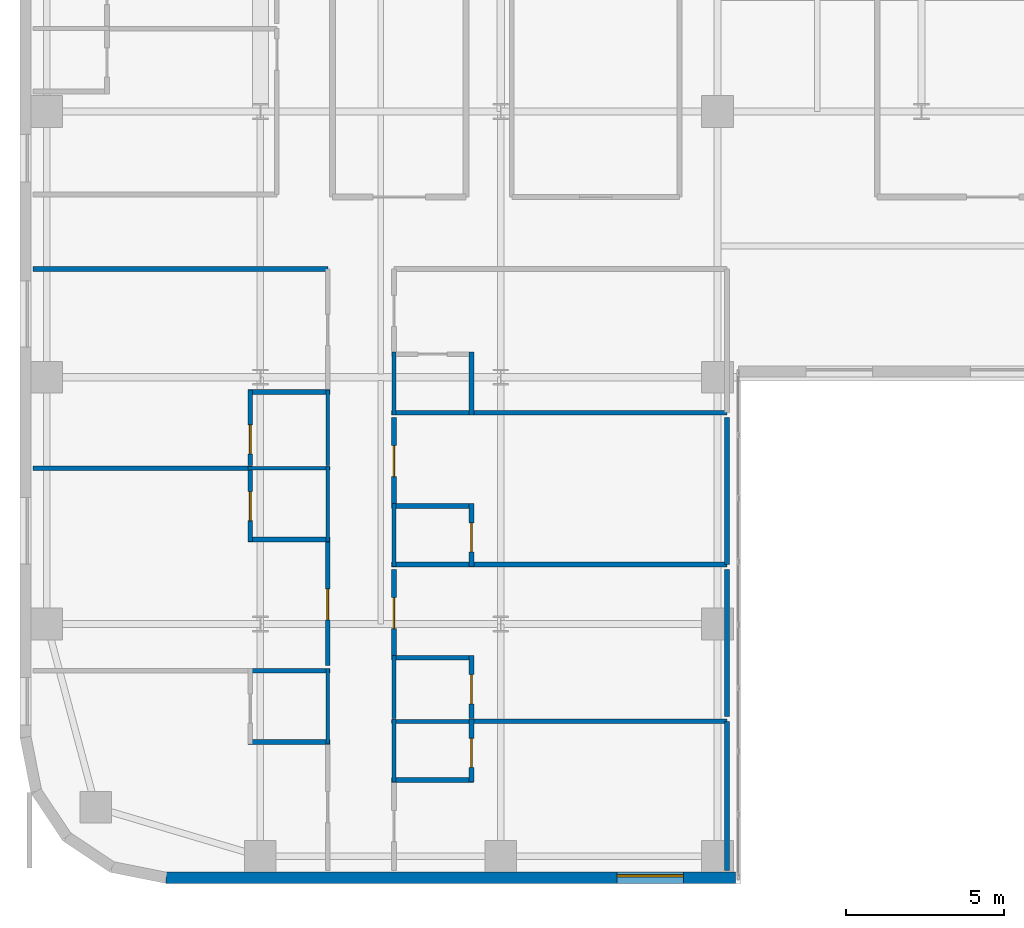
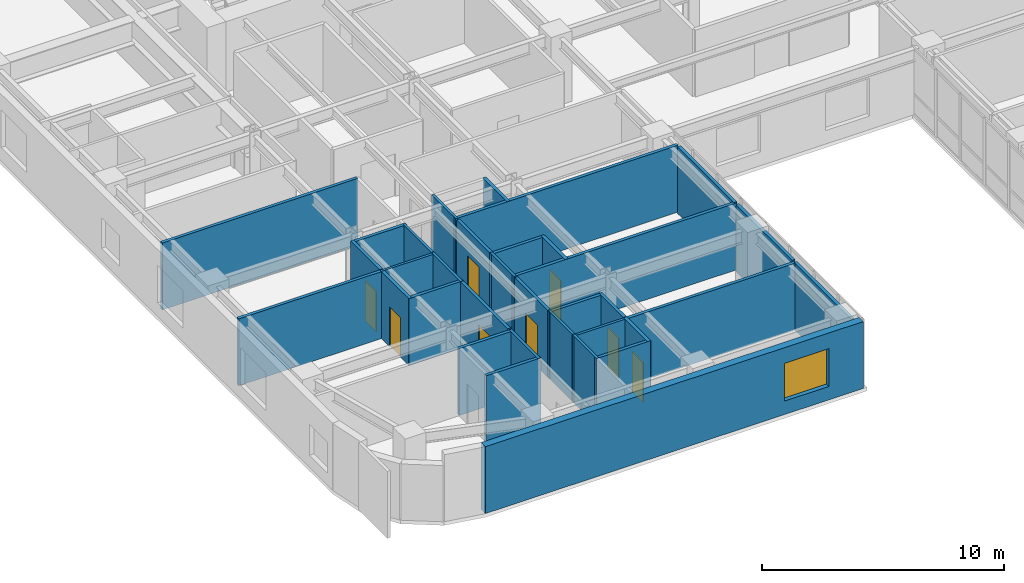
# One storey, part 10 of 17: 34 walls, 8 doors, 1 window, 9 openings.
"""IFC4 building model written with IfcOpenShell, lengths in metres."""

from ifc_helpers import new_model, si_unit, direction, frame, frame_2d, origin, place, context, subcontext, project, spatial, rectangle, extrude, source, transform, mapped, material, layer, layer_set, type_object, type_shapes, element, fill, save


model = new_model("IFC4")

# Units and contexts
model_context = context("Model", 3, precision=1e-05, world=origin(), true_north=direction((0.0, 1.0)))
body_context = subcontext(model_context, "Body", "Model", "MODEL_VIEW")
ifc_project = project(units=[si_unit("LENGTHUNIT", "METRE"), si_unit("AREAUNIT", "SQUARE_METRE"), si_unit("VOLUMEUNIT", "CUBIC_METRE"), si_unit("PLANEANGLEUNIT", "RADIAN"), si_unit("MASSUNIT", "GRAM", prefix="KILO")], contexts=[model_context])

# Site, building, storey
site_placement = place(None, origin())
site = spatial("IfcSite", under=ifc_project, at=site_placement, CompositionType="ELEMENT")
building_placement = place(site_placement, origin())
building = spatial("IfcBuilding", under=site, at=building_placement, Name="Tolvann Quenvar Hotel", CompositionType="ELEMENT")
storey_placement = place(building_placement, frame((0.0, 0.0, 42.64990234375)))
storey = spatial("IfcBuildingStorey", under=building, at=storey_placement, Name="L09", CompositionType="ELEMENT", Elevation=42.64990234375)

# Wall, opening, window
ifc_material_1 = material(Name="Kiln-fired red and buff architectural clay brickwork and terracotta masonry", Category="masonry")
ifc_layer_1 = layer(ifc_material_1, 0.35009765625)
ifc_layer_set_1 = layer_set([ifc_layer_1], Name="Kiln-fired red and buff architectural clay brickwork and terracotta masonry")
wall_type_1 = type_object("IfcWallType", Name="WALL_EXT_BRICK_350", PredefinedType="SOLIDWALL", material=ifc_layer_set_1)
wall_1_placement = place(storey_placement, frame((4.6171875, 0.175048828125, 0.0), z_axis=(0.0, 0.0, 1.0), x_axis=(1.0, 0.0, 0.0)))
wall_1 = element("IfcWall", 1, at=wall_1_placement, inside=storey, type_object=wall_type_1, Name="Exterior Chicago Brick Wall L09-E04", PredefinedType="SOLIDWALL", context=body_context, shape_type="SweptSolid", body=[
    extrude(rectangle(XDim=18.0078125, YDim=0.35009765625, at=frame_2d((9.00390625, 0.0))), origin(), (0.0, 0.0, 1.0), 3.3701171875),
])
opening_1_placement = place(wall_1_placement, frame((14.257080078125, 0.0, 0.679931640625)))
opening_1 = element("IfcOpeningElement", 2, at=opening_1_placement, cuts=wall_1, Name="Opening W-02", PredefinedType="OPENING", context=body_context, shape_type="SweptSolid", body=[
    extrude(rectangle(XDim=2.10009765625, YDim=1.89990234375, at=frame_2d((1.050048828125, 0.949951171875))), frame((0.0, 0.18505859375, 0.0), z_axis=(0.0, -1.0, 0.0), x_axis=(1.0, 0.0, 0.0)), (0.0, 0.0, 1.0), 0.3701171875),
])
ifc_material_2 = material(Name="Thermally broken bronze-anodised aluminium frame with double low-E glazing", Category="aluminium")
window_type = type_object("IfcWindowType", Name="WIN_CHI_2100x2050", PartitioningType="TRIPLE_PANEL_HORIZONTAL", PredefinedType="WINDOW", material=ifc_material_2)
shared_shape_1 = source(origin(), body_context, "Body", "SweptSolid", [
    extrude(rectangle(XDim=2.10009765625, YDim=1.89990234375, at=frame_2d((1.050048828125, 0.949951171875))), frame((0.0, 0.090087890625, 0.0), z_axis=(0.0, -1.0, 0.0), x_axis=(1.0, 0.0, 0.0)), (0.0, 0.0, 1.0), 0.06005859375),
])
type_shapes(window_type, [shared_shape_1])
window_placement = place(opening_1_placement, origin())
window = element("IfcWindow", 3, at=window_placement, inside=storey, type_object=window_type, Name="Chicago Window W-02 (EW-L09-E04-W01)", OverallHeight=1.89990234375, OverallWidth=2.10009765625, PartitioningType="TRIPLE_PANEL_HORIZONTAL", PredefinedType="WINDOW", context=body_context, shape_type="MappedRepresentation", body=[
    mapped(shared_shape_1, transform((0.0, 0.0, 0.0), x_axis=(1.0, 0.0, 0.0), y_axis=(0.0, 1.0, 0.0), z_axis=(0.0, 0.0, 1.0), scale=1.0)),
])
fill(opening_1, window)

# Walls
ifc_material_3 = material(Name="Moisture-resistant acoustic plumbing wall assembly")
ifc_layer_2 = layer(ifc_material_3, 0.1201171875)
ifc_layer_set_2 = layer_set([ifc_layer_2], Name="Moisture-resistant acoustic plumbing wall assembly")
wall_type_2 = type_object("IfcWallType", Name="WALL_PART_BATH_120", PredefinedType="PLUMBINGWALL", material=ifc_layer_set_2)
wall_2_placement = place(storey_placement, frame((9.72998046875, 4.39990234375, 0.0), z_axis=(0.0, 0.0, 1.0), x_axis=(0.0, 1.0, 0.0)))
element("IfcWall", 4, at=wall_2_placement, inside=storey, type_object=wall_type_2, Name="Non-Rated Plumbing Partition PT-SPC-L09-ENS-WO01-E", PredefinedType="PLUMBINGWALL", context=body_context, shape_type="SweptSolid", body=[
    extrude(rectangle(XDim=2.39013671875, YDim=0.1201171875, at=frame_2d((1.195068359375, 0.0))), origin(), (0.0, 0.0, 1.0), 3.3701171875),
])
wall_3_placement = place(storey_placement, frame((7.2099609375, 13.1201171875, 0.0), z_axis=(0.0, 0.0, 1.0), x_axis=(1.0, 0.0, 0.0)))
element("IfcWall", 5, at=wall_3_placement, inside=storey, type_object=wall_type_2, Name="Non-Rated Plumbing Partition PT-SPC-L09-ENS-WO02-N", PredefinedType="PLUMBINGWALL", context=body_context, shape_type="SweptSolid", body=[
    extrude(rectangle(XDim=2.590087890625, YDim=0.1201171875, at=frame_2d((1.294921875, 0.0))), origin(), (0.0, 0.0, 1.0), 3.3701171875),
])
wall_4_placement = place(storey_placement, frame((9.72998046875, 10.800048828125, 0.0), z_axis=(0.0, 0.0, 1.0), x_axis=(0.0, 1.0, 0.0)))
element("IfcWall", 6, at=wall_4_placement, inside=storey, type_object=wall_type_2, Name="Non-Rated Plumbing Partition PT-SPC-L09-ENS-WO02-E", PredefinedType="PLUMBINGWALL", context=body_context, shape_type="SweptSolid", body=[
    extrude(rectangle(XDim=2.389892578125, YDim=0.1201171875, at=frame_2d((1.19482421875, 0.0))), origin(), (0.0, 0.0, 1.0), 3.3701171875),
])
wall_5_placement = place(storey_placement, frame((9.72998046875, 13.2099609375, 0.0), z_axis=(0.0, 0.0, 1.0), x_axis=(0.0, 1.0, 0.0)))
element("IfcWall", 7, at=wall_5_placement, inside=storey, type_object=wall_type_2, Name="Non-Rated Plumbing Partition PT-SPC-L09-ENS-WO03-E", PredefinedType="PLUMBINGWALL", context=body_context, shape_type="SweptSolid", body=[
    extrude(rectangle(XDim=2.39013671875, YDim=0.1201171875, at=frame_2d((1.195068359375, 0.0))), origin(), (0.0, 0.0, 1.0), 3.3701171875),
])
wall_6_placement = place(storey_placement, frame((11.75, 5.1201171875, 0.0), z_axis=(0.0, 0.0, 1.0), x_axis=(1.0, 0.0, 0.0)))
element("IfcWall", 8, at=wall_6_placement, inside=storey, type_object=wall_type_2, Name="Non-Rated Plumbing Partition PT-SPC-L09-ENS-WI01-N", PredefinedType="PLUMBINGWALL", context=body_context, shape_type="SweptSolid", body=[
    extrude(rectangle(XDim=2.590087890625, YDim=0.1201171875, at=frame_2d((1.294921875, 0.0))), origin(), (0.0, 0.0, 1.0), 3.3701171875),
])
for number, where, z_axis, x_axis, name in (
    (9, (11.820068359375, 3.199951171875, 0.0), (0.0, 0.0, 1.0), (0.0, 1.0, 0.0), "Non-Rated Plumbing Partition PT-SPC-L09-ENS-WI01-W"),
    (10, (11.820068359375, 5.2099609375, 0.0), (0.0, 0.0, 1.0), (0.0, 1.0, 0.0), "Non-Rated Plumbing Partition PT-SPC-L09-ENS-WI02-W"),
    (11, (11.820068359375, 10.010009765625, 0.0), (0.0, 0.0, 1.0), (0.0, 1.0, 0.0), "Non-Rated Plumbing Partition PT-SPC-L09-ENS-WI03-W"),
    (12, (11.820068359375, 14.81005859375, 0.0), (0.0, 0.0, 1.0), (0.0, 1.0, 0.0), "Non-Rated Plumbing Partition PT-SPC-L09-ENS-WI04-W"),
):
    element("IfcWall", number, at=place(storey_placement, frame(where, z_axis=z_axis, x_axis=x_axis)), inside=storey, type_object=wall_type_2, Name=name, PredefinedType="PLUMBINGWALL", context=body_context, shape_type="SweptSolid", body=[
        extrude(rectangle(XDim=1.989990234375, YDim=0.1201171875, at=frame_2d((0.9951171875, 0.0))), origin(), (0.0, 0.0, 1.0), 3.3701171875),
    ])
ifc_material_4 = material(Name="Acoustic twin-stud fire-rated gypsum plasterboard partition")
ifc_layer_3 = layer(ifc_material_4, 0.14990234375)
ifc_layer_set_3 = layer_set([ifc_layer_3], Name="Acoustic twin-stud fire-rated gypsum plasterboard partition")
wall_type_3 = type_object("IfcWallType", Name="WALL_PART_SUITE_150", PredefinedType="PARTITIONING", material=ifc_layer_set_3)
for number, where, z_axis, x_axis, name in (
    (13, (7.2099609375, 4.469970703125, 0.0), (0.0, 0.0, 1.0), (1.0, 0.0, 0.0), "Interior Partition PT-SPC-L09-ENS-WO01-S"),
    (14, (7.2099609375, 6.719970703125, 0.0), (0.0, 0.0, 1.0), (1.0, 0.0, 0.0), "Interior Partition PT-SPC-L09-ENS-WO01-N"),
):
    element("IfcWall", number, at=place(storey_placement, frame(where, z_axis=z_axis, x_axis=x_axis)), inside=storey, type_object=wall_type_3, Name=name, PredefinedType="PARTITIONING", context=body_context, shape_type="SweptSolid", body=[
        extrude(rectangle(XDim=2.590087890625, YDim=0.14990234375, at=frame_2d((1.294921875, 0.0))), origin(), (0.0, 0.0, 1.0), 3.3701171875),
    ])

# Wall, opening, door
wall_7_placement = place(storey_placement, frame((7.280029296875, 10.800048828125, 0.0), z_axis=(0.0, 0.0, 1.0), x_axis=(0.0, 1.0, 0.0)))
wall_7 = element("IfcWall", 15, at=wall_7_placement, inside=storey, type_object=wall_type_3, Name="Interior Partition PT-SPC-L09-ENS-WO02-ENT", PredefinedType="PARTITIONING", context=body_context, shape_type="SweptSolid", body=[
    extrude(rectangle(XDim=2.389892578125, YDim=0.14990234375, at=frame_2d((1.19482421875, 0.0))), origin(), (0.0, 0.0, 1.0), 3.3701171875),
])
opening_2_placement = place(wall_7_placement, frame((0.6650390625, 0.0, 0.0)))
opening_2 = element("IfcOpeningElement", 16, at=opening_2_placement, cuts=wall_7, Name="Opening WD-01", PredefinedType="OPENING", context=body_context, shape_type="SweptSolid", body=[
    extrude(rectangle(XDim=0.919921875, YDim=2.010009765625, at=frame_2d((0.4599609375, 1.0048828125))), frame((0.0, 0.0849609375, 0.0), z_axis=(0.0, -1.0, 0.0), x_axis=(1.0, 0.0, 0.0)), (0.0, 0.0, 1.0), 0.169921875),
])
ifc_material_5 = material(Name="Solid-core American oak acoustic fire door leaf in steel frame", Category="steel")
door_type_1 = type_object("IfcDoorType", Name="DOOR_WC_920", OperationType="NOTDEFINED", PredefinedType="DOOR", material=ifc_material_5)
shared_shape_2 = source(origin(), body_context, "Body", "SweptSolid", [
    extrude(rectangle(XDim=0.919921875, YDim=2.010009765625, at=frame_2d((0.4599609375, 1.0048828125))), frame((0.0, 0.02490234375, 0.0), z_axis=(0.0, -1.0, 0.0), x_axis=(1.0, 0.0, 0.0)), (0.0, 0.0, 1.0), 0.050048828125),
])
type_shapes(door_type_1, [shared_shape_2])
door_1_placement = place(opening_2_placement, origin())
door_1 = element("IfcDoor", 17, at=door_1_placement, inside=storey, type_object=door_type_1, Name="Interior Door DOOR-SPC-L09-ENS-WO02", OperationType="SINGLE_SWING_LEFT", OverallHeight=2.010009765625, OverallWidth=0.919921875, PredefinedType="DOOR", context=body_context, shape_type="MappedRepresentation", body=[
    mapped(shared_shape_2, transform((0.0, 0.0, 0.0), x_axis=(1.0, 0.0, 0.0), y_axis=(0.0, 1.0, 0.0), z_axis=(0.0, 0.0, 1.0), scale=1.0)),
])
fill(opening_2, door_1)

# Wall
wall_8_placement = place(storey_placement, frame((7.2099609375, 10.8701171875, 0.0), z_axis=(0.0, 0.0, 1.0), x_axis=(1.0, 0.0, 0.0)))
element("IfcWall", 18, at=wall_8_placement, inside=storey, type_object=wall_type_3, Name="Interior Partition PT-SPC-L09-ENS-WO02-S", PredefinedType="PARTITIONING", context=body_context, shape_type="SweptSolid", body=[
    extrude(rectangle(XDim=2.590087890625, YDim=0.14990234375, at=frame_2d((1.294921875, 0.0))), origin(), (0.0, 0.0, 1.0), 3.3701171875),
])

# Wall, opening, door
wall_9_placement = place(storey_placement, frame((7.280029296875, 13.2099609375, 0.0), z_axis=(0.0, 0.0, 1.0), x_axis=(0.0, 1.0, 0.0)))
wall_9 = element("IfcWall", 19, at=wall_9_placement, inside=storey, type_object=wall_type_3, Name="Interior Partition PT-SPC-L09-ENS-WO03-ENT", PredefinedType="PARTITIONING", context=body_context, shape_type="SweptSolid", body=[
    extrude(rectangle(XDim=2.39013671875, YDim=0.14990234375, at=frame_2d((1.195068359375, 0.0))), origin(), (0.0, 0.0, 1.0), 3.3701171875),
])
opening_3_placement = place(wall_9_placement, frame((0.364990234375, 0.0, 0.0)))
opening_3 = element("IfcOpeningElement", 20, at=opening_3_placement, cuts=wall_9, Name="Opening WD-01", PredefinedType="OPENING", context=body_context, shape_type="SweptSolid", body=[
    extrude(rectangle(XDim=0.919921875, YDim=2.010009765625, at=frame_2d((0.4599609375, 1.0048828125))), frame((0.0, 0.0849609375, 0.0), z_axis=(0.0, -1.0, 0.0), x_axis=(1.0, 0.0, 0.0)), (0.0, 0.0, 1.0), 0.169921875),
])
door_2_placement = place(opening_3_placement, origin())
door_2 = element("IfcDoor", 21, at=door_2_placement, inside=storey, type_object=door_type_1, Name="Interior Door DOOR-SPC-L09-ENS-WO03", OperationType="SINGLE_SWING_RIGHT", OverallHeight=2.010009765625, OverallWidth=0.919921875, PredefinedType="DOOR", context=body_context, shape_type="MappedRepresentation", body=[
    mapped(shared_shape_2, transform((0.0, 0.0, 0.0), x_axis=(1.0, 0.0, 0.0), y_axis=(0.0, 1.0, 0.0), z_axis=(0.0, 0.0, 1.0), scale=1.0)),
])
fill(opening_3, door_2)

# Wall
wall_10_placement = place(storey_placement, frame((7.2099609375, 15.530029296875, 0.0), z_axis=(0.0, 0.0, 1.0), x_axis=(1.0, 0.0, 0.0)))
element("IfcWall", 22, at=wall_10_placement, inside=storey, type_object=wall_type_3, Name="Interior Partition PT-SPC-L09-ENS-WO03-N", PredefinedType="PARTITIONING", context=body_context, shape_type="SweptSolid", body=[
    extrude(rectangle(XDim=2.590087890625, YDim=0.14990234375, at=frame_2d((1.294921875, 0.0))), origin(), (0.0, 0.0, 1.0), 3.3701171875),
])

# Wall, opening, door
wall_11_placement = place(storey_placement, frame((14.27001953125, 3.199951171875, 0.0), z_axis=(0.0, 0.0, 1.0), x_axis=(0.0, 1.0, 0.0)))
wall_11 = element("IfcWall", 23, at=wall_11_placement, inside=storey, type_object=wall_type_3, Name="Interior Partition PT-SPC-L09-ENS-WI01-ENT", PredefinedType="PARTITIONING", context=body_context, shape_type="SweptSolid", body=[
    extrude(rectangle(XDim=1.989990234375, YDim=0.14990234375, at=frame_2d((0.9951171875, 0.0))), origin(), (0.0, 0.0, 1.0), 3.3701171875),
])
opening_4_placement = place(wall_11_placement, frame((0.465087890625, 0.0, 0.0)))
opening_4 = element("IfcOpeningElement", 24, at=opening_4_placement, cuts=wall_11, Name="Opening WD-01", PredefinedType="OPENING", context=body_context, shape_type="SweptSolid", body=[
    extrude(rectangle(XDim=0.919921875, YDim=2.010009765625, at=frame_2d((0.4599609375, 1.0048828125))), frame((0.0, 0.0849609375, 0.0), z_axis=(0.0, -1.0, 0.0), x_axis=(1.0, 0.0, 0.0)), (0.0, 0.0, 1.0), 0.169921875),
])
door_3_placement = place(opening_4_placement, origin())
door_3 = element("IfcDoor", 25, at=door_3_placement, inside=storey, type_object=door_type_1, Name="Interior Door DOOR-SPC-L09-ENS-WI01", OperationType="SINGLE_SWING_LEFT", OverallHeight=2.010009765625, OverallWidth=0.919921875, PredefinedType="DOOR", context=body_context, shape_type="MappedRepresentation", body=[
    mapped(shared_shape_2, transform((0.0, 0.0, 0.0), x_axis=(1.0, 0.0, 0.0), y_axis=(0.0, 1.0, 0.0), z_axis=(0.0, 0.0, 1.0), scale=1.0)),
])
fill(opening_4, door_3)

# Wall
wall_12_placement = place(storey_placement, frame((11.75, 3.27001953125, 0.0), z_axis=(0.0, 0.0, 1.0), x_axis=(1.0, 0.0, 0.0)))
element("IfcWall", 26, at=wall_12_placement, inside=storey, type_object=wall_type_3, Name="Interior Partition PT-SPC-L09-ENS-WI01-S", PredefinedType="PARTITIONING", context=body_context, shape_type="SweptSolid", body=[
    extrude(rectangle(XDim=2.590087890625, YDim=0.14990234375, at=frame_2d((1.294921875, 0.0))), origin(), (0.0, 0.0, 1.0), 3.3701171875),
])

# Wall, opening, door
wall_13_placement = place(storey_placement, frame((14.27001953125, 5.2099609375, 0.0), z_axis=(0.0, 0.0, 1.0), x_axis=(0.0, 1.0, 0.0)))
wall_13 = element("IfcWall", 27, at=wall_13_placement, inside=storey, type_object=wall_type_3, Name="Interior Partition PT-SPC-L09-ENS-WI02-ENT", PredefinedType="PARTITIONING", context=body_context, shape_type="SweptSolid", body=[
    extrude(rectangle(XDim=1.989990234375, YDim=0.14990234375, at=frame_2d((0.9951171875, 0.0))), origin(), (0.0, 0.0, 1.0), 3.3701171875),
])
opening_5_placement = place(wall_13_placement, frame((0.465087890625, 0.0, 0.0)))
opening_5 = element("IfcOpeningElement", 28, at=opening_5_placement, cuts=wall_13, Name="Opening WD-01", PredefinedType="OPENING", context=body_context, shape_type="SweptSolid", body=[
    extrude(rectangle(XDim=0.919921875, YDim=2.010009765625, at=frame_2d((0.4599609375, 1.0048828125))), frame((0.0, 0.0849609375, 0.0), z_axis=(0.0, -1.0, 0.0), x_axis=(1.0, 0.0, 0.0)), (0.0, 0.0, 1.0), 0.169921875),
])
door_4_placement = place(opening_5_placement, origin())
door_4 = element("IfcDoor", 29, at=door_4_placement, inside=storey, type_object=door_type_1, Name="Interior Door DOOR-SPC-L09-ENS-WI02", OperationType="SINGLE_SWING_RIGHT", OverallHeight=2.010009765625, OverallWidth=0.919921875, PredefinedType="DOOR", context=body_context, shape_type="MappedRepresentation", body=[
    mapped(shared_shape_2, transform((0.0, 0.0, 0.0), x_axis=(1.0, 0.0, 0.0), y_axis=(0.0, 1.0, 0.0), z_axis=(0.0, 0.0, 1.0), scale=1.0)),
])
fill(opening_5, door_4)

# Wall
wall_14_placement = place(storey_placement, frame((11.75, 7.1298828125, 0.0), z_axis=(0.0, 0.0, 1.0), x_axis=(1.0, 0.0, 0.0)))
element("IfcWall", 30, at=wall_14_placement, inside=storey, type_object=wall_type_3, Name="Interior Partition PT-SPC-L09-ENS-WI02-N", PredefinedType="PARTITIONING", context=body_context, shape_type="SweptSolid", body=[
    extrude(rectangle(XDim=2.590087890625, YDim=0.14990234375, at=frame_2d((1.294921875, 0.0))), origin(), (0.0, 0.0, 1.0), 3.3701171875),
])

# Wall, opening, door
wall_15_placement = place(storey_placement, frame((14.27001953125, 10.010009765625, 0.0), z_axis=(0.0, 0.0, 1.0), x_axis=(0.0, 1.0, 0.0)))
wall_15 = element("IfcWall", 31, at=wall_15_placement, inside=storey, type_object=wall_type_3, Name="Interior Partition PT-SPC-L09-ENS-WI03-ENT", PredefinedType="PARTITIONING", context=body_context, shape_type="SweptSolid", body=[
    extrude(rectangle(XDim=1.989990234375, YDim=0.14990234375, at=frame_2d((0.9951171875, 0.0))), origin(), (0.0, 0.0, 1.0), 3.3701171875),
])
opening_6_placement = place(wall_15_placement, frame((0.465087890625, 0.0, 0.0)))
opening_6 = element("IfcOpeningElement", 32, at=opening_6_placement, cuts=wall_15, Name="Opening WD-01", PredefinedType="OPENING", context=body_context, shape_type="SweptSolid", body=[
    extrude(rectangle(XDim=0.919921875, YDim=2.010009765625, at=frame_2d((0.4599609375, 1.0048828125))), frame((0.0, 0.0849609375, 0.0), z_axis=(0.0, -1.0, 0.0), x_axis=(1.0, 0.0, 0.0)), (0.0, 0.0, 1.0), 0.169921875),
])
door_5_placement = place(opening_6_placement, origin())
door_5 = element("IfcDoor", 33, at=door_5_placement, inside=storey, type_object=door_type_1, Name="Interior Door DOOR-SPC-L09-ENS-WI03", OperationType="SINGLE_SWING_LEFT", OverallHeight=2.010009765625, OverallWidth=0.919921875, PredefinedType="DOOR", context=body_context, shape_type="MappedRepresentation", body=[
    mapped(shared_shape_2, transform((0.0, 0.0, 0.0), x_axis=(1.0, 0.0, 0.0), y_axis=(0.0, 1.0, 0.0), z_axis=(0.0, 0.0, 1.0), scale=1.0)),
])
fill(opening_6, door_5)

# Walls
wall_16_placement = place(storey_placement, frame((11.75, 10.080078125, 0.0), z_axis=(0.0, 0.0, 1.0), x_axis=(1.0, 0.0, 0.0)))
element("IfcWall", 34, at=wall_16_placement, inside=storey, type_object=wall_type_3, Name="Interior Partition PT-SPC-L09-ENS-WI03-S", PredefinedType="PARTITIONING", context=body_context, shape_type="SweptSolid", body=[
    extrude(rectangle(XDim=10.60009765625, YDim=0.14990234375, at=frame_2d((5.300048828125, 0.0))), origin(), (0.0, 0.0, 1.0), 3.3701171875),
])
wall_17_placement = place(storey_placement, frame((11.75, 11.929931640625, 0.0), z_axis=(0.0, 0.0, 1.0), x_axis=(1.0, 0.0, 0.0)))
element("IfcWall", 35, at=wall_17_placement, inside=storey, type_object=wall_type_3, Name="Interior Partition PT-SPC-L09-ENS-WI03-N", PredefinedType="PARTITIONING", context=body_context, shape_type="SweptSolid", body=[
    extrude(rectangle(XDim=2.590087890625, YDim=0.14990234375, at=frame_2d((1.294921875, 0.0))), origin(), (0.0, 0.0, 1.0), 3.3701171875),
])
wall_18_placement = place(storey_placement, frame((14.27001953125, 14.81005859375, 0.0), z_axis=(0.0, 0.0, 1.0), x_axis=(0.0, 1.0, 0.0)))
element("IfcWall", 36, at=wall_18_placement, inside=storey, type_object=wall_type_3, Name="Interior Partition PT-SPC-L09-ENS-WI04-ENT", PredefinedType="PARTITIONING", context=body_context, shape_type="SweptSolid", body=[
    extrude(rectangle(XDim=1.989990234375, YDim=0.14990234375, at=frame_2d((0.9951171875, 0.0))), origin(), (0.0, 0.0, 1.0), 3.3701171875),
])
wall_19_placement = place(storey_placement, frame((11.75, 14.8798828125, 0.0), z_axis=(0.0, 0.0, 1.0), x_axis=(1.0, 0.0, 0.0)))
element("IfcWall", 37, at=wall_19_placement, inside=storey, type_object=wall_type_3, Name="Interior Partition PT-SPC-L09-ENS-WI04-S", PredefinedType="PARTITIONING", context=body_context, shape_type="SweptSolid", body=[
    extrude(rectangle(XDim=10.60009765625, YDim=0.14990234375, at=frame_2d((5.300048828125, 0.0))), origin(), (0.0, 0.0, 1.0), 3.3701171875),
])

# Wall, opening, door
wall_20_placement = place(storey_placement, frame((9.72998046875, 6.8798828125, 0.0), z_axis=(0.0, 0.0, 1.0), x_axis=(0.0, 1.0, 0.0)))
wall_20 = element("IfcWall", 38, at=wall_20_placement, inside=storey, type_object=wall_type_3, Name="Interior Partition PT-SPC-L09-RM-WO02-ENT", PredefinedType="PARTITIONING", context=body_context, shape_type="SweptSolid", body=[
    extrude(rectangle(XDim=3.91015625, YDim=0.14990234375, at=frame_2d((1.955078125, 0.0))), origin(), (0.0, 0.0, 1.0), 3.3701171875),
])
opening_7_placement = place(wall_20_placement, frame((1.445068359375, 0.0, 0.0)))
opening_7 = element("IfcOpeningElement", 39, at=opening_7_placement, cuts=wall_20, Name="Opening SD-01", PredefinedType="OPENING", context=body_context, shape_type="SweptSolid", body=[
    extrude(rectangle(XDim=0.97998046875, YDim=2.1201171875, at=frame_2d((0.489990234375, 1.06005859375))), frame((0.0, 0.0849609375, 0.0), z_axis=(0.0, -1.0, 0.0), x_axis=(1.0, 0.0, 0.0)), (0.0, 0.0, 1.0), 0.169921875),
])
door_type_2 = type_object("IfcDoorType", Name="DOOR_SUITE_980", OperationType="NOTDEFINED", PredefinedType="DOOR", material=ifc_material_5)
shared_shape_3 = source(origin(), body_context, "Body", "SweptSolid", [
    extrude(rectangle(XDim=0.97998046875, YDim=2.1201171875, at=frame_2d((0.489990234375, 1.06005859375))), frame((0.0, 0.02490234375, 0.0), z_axis=(0.0, -1.0, 0.0), x_axis=(1.0, 0.0, 0.0)), (0.0, 0.0, 1.0), 0.050048828125),
])
type_shapes(door_type_2, [shared_shape_3])
door_6_placement = place(opening_7_placement, origin())
door_6 = element("IfcDoor", 40, at=door_6_placement, inside=storey, type_object=door_type_2, Name="Interior Door DOOR-SPC-L09-RM-WO02", OperationType="SINGLE_SWING_RIGHT", OverallHeight=2.1201171875, OverallWidth=0.97998046875, PredefinedType="DOOR", context=body_context, shape_type="MappedRepresentation", body=[
    mapped(shared_shape_3, transform((0.0, 0.0, 0.0), x_axis=(1.0, 0.0, 0.0), y_axis=(0.0, 1.0, 0.0), z_axis=(0.0, 0.0, 1.0), scale=1.0)),
])
fill(opening_7, door_6)

# Walls
wall_21_placement = place(storey_placement, frame((0.405029296875, 13.1201171875, 0.0), z_axis=(0.0, 0.0, 1.0), x_axis=(1.0, 0.0, 0.0)))
element("IfcWall", 41, at=wall_21_placement, inside=storey, type_object=wall_type_3, Name="Interior Partition PT-SPC-L09-RM-WO02-E5", PredefinedType="PARTITIONING", context=body_context, shape_type="SweptSolid", body=[
    extrude(rectangle(XDim=6.85498046875, YDim=0.14990234375, at=frame_2d((3.427490234375, 0.0))), origin(), (0.0, 0.0, 1.0), 3.3701171875),
])
wall_22_placement = place(storey_placement, frame((0.405029296875, 19.419921875, 0.0), z_axis=(0.0, 0.0, 1.0), x_axis=(1.0, 0.0, 0.0)))
element("IfcWall", 42, at=wall_22_placement, inside=storey, type_object=wall_type_3, Name="Interior Partition PT-SPC-L09-RM-WO03-E5", PredefinedType="PARTITIONING", context=body_context, shape_type="SweptSolid", body=[
    extrude(rectangle(XDim=9.324951171875, YDim=0.14990234375, at=frame_2d((4.66259765625, 0.0))), origin(), (0.0, 0.0, 1.0), 3.3701171875),
])
wall_23_placement = place(storey_placement, frame((22.35009765625, 0.405029296875, 0.0), z_axis=(0.0, 0.0, 1.0), x_axis=(0.0, 1.0, 0.0)))
element("IfcWall", 43, at=wall_23_placement, inside=storey, type_object=wall_type_3, Name="Interior Partition PT-SPC-L09-RM-WI01-E2", PredefinedType="PARTITIONING", context=body_context, shape_type="SweptSolid", body=[
    extrude(rectangle(XDim=4.715087890625, YDim=0.14990234375, at=frame_2d((2.357421875, 0.0))), origin(), (0.0, 0.0, 1.0), 3.3701171875),
])
wall_24_placement = place(storey_placement, frame((14.2900390625, 5.1201171875, 0.0), z_axis=(0.0, 0.0, 1.0), x_axis=(1.0, 0.0, 0.0)))
element("IfcWall", 44, at=wall_24_placement, inside=storey, type_object=wall_type_3, Name="Interior Partition PT-SPC-L09-RM-WI01-E3", PredefinedType="PARTITIONING", context=body_context, shape_type="SweptSolid", body=[
    extrude(rectangle(XDim=8.06005859375, YDim=0.14990234375, at=frame_2d((4.030029296875, 0.0))), origin(), (0.0, 0.0, 1.0), 3.3701171875),
])

# Wall, opening, door
wall_25_placement = place(storey_placement, frame((11.820068359375, 7.2099609375, 0.0), z_axis=(0.0, 0.0, 1.0), x_axis=(0.0, 1.0, 0.0)))
wall_25 = element("IfcWall", 45, at=wall_25_placement, inside=storey, type_object=wall_type_3, Name="Interior Partition PT-SPC-L09-RM-WI02-ENT", PredefinedType="PARTITIONING", context=body_context, shape_type="SweptSolid", body=[
    extrude(rectangle(XDim=2.7099609375, YDim=0.14990234375, at=frame_2d((1.35498046875, 0.0))), origin(), (0.0, 0.0, 1.0), 3.3701171875),
])
opening_8_placement = place(wall_25_placement, frame((0.844970703125, 0.0, 0.0)))
opening_8 = element("IfcOpeningElement", 46, at=opening_8_placement, cuts=wall_25, Name="Opening SD-01", PredefinedType="OPENING", context=body_context, shape_type="SweptSolid", body=[
    extrude(rectangle(XDim=0.97998046875, YDim=2.1201171875, at=frame_2d((0.489990234375, 1.06005859375))), frame((0.0, 0.0849609375, 0.0), z_axis=(0.0, -1.0, 0.0), x_axis=(1.0, 0.0, 0.0)), (0.0, 0.0, 1.0), 0.169921875),
])
door_7_placement = place(opening_8_placement, origin())
door_7 = element("IfcDoor", 47, at=door_7_placement, inside=storey, type_object=door_type_2, Name="Interior Door DOOR-SPC-L09-RM-WI02", OperationType="SINGLE_SWING_LEFT", OverallHeight=2.1201171875, OverallWidth=0.97998046875, PredefinedType="DOOR", context=body_context, shape_type="MappedRepresentation", body=[
    mapped(shared_shape_3, transform((0.0, 0.0, 0.0), x_axis=(1.0, 0.0, 0.0), y_axis=(0.0, 1.0, 0.0), z_axis=(0.0, 0.0, 1.0), scale=1.0)),
])
fill(opening_8, door_7)

# Wall
wall_26_placement = place(storey_placement, frame((22.35009765625, 5.280029296875, 0.0), z_axis=(0.0, 0.0, 1.0), x_axis=(0.0, 1.0, 0.0)))
element("IfcWall", 48, at=wall_26_placement, inside=storey, type_object=wall_type_3, Name="Interior Partition PT-SPC-L09-RM-WI02-E4", PredefinedType="PARTITIONING", context=body_context, shape_type="SweptSolid", body=[
    extrude(rectangle(XDim=4.639892578125, YDim=0.14990234375, at=frame_2d((2.31982421875, 0.0))), origin(), (0.0, 0.0, 1.0), 3.3701171875),
])

# Wall, opening, door
wall_27_placement = place(storey_placement, frame((11.820068359375, 12.010009765625, 0.0), z_axis=(0.0, 0.0, 1.0), x_axis=(0.0, 1.0, 0.0)))
wall_27 = element("IfcWall", 49, at=wall_27_placement, inside=storey, type_object=wall_type_3, Name="Interior Partition PT-SPC-L09-RM-WI03-ENT", PredefinedType="PARTITIONING", context=body_context, shape_type="SweptSolid", body=[
    extrude(rectangle(XDim=2.7099609375, YDim=0.14990234375, at=frame_2d((1.35498046875, 0.0))), origin(), (0.0, 0.0, 1.0), 3.3701171875),
])
opening_9_placement = place(wall_27_placement, frame((0.844970703125, 0.0, 0.0)))
opening_9 = element("IfcOpeningElement", 50, at=opening_9_placement, cuts=wall_27, Name="Opening SD-01", PredefinedType="OPENING", context=body_context, shape_type="SweptSolid", body=[
    extrude(rectangle(XDim=0.97998046875, YDim=2.1201171875, at=frame_2d((0.489990234375, 1.06005859375))), frame((0.0, 0.0849609375, 0.0), z_axis=(0.0, -1.0, 0.0), x_axis=(1.0, 0.0, 0.0)), (0.0, 0.0, 1.0), 0.169921875),
])
door_8_placement = place(opening_9_placement, origin())
door_8 = element("IfcDoor", 51, at=door_8_placement, inside=storey, type_object=door_type_2, Name="Interior Door DOOR-SPC-L09-RM-WI03", OperationType="SINGLE_SWING_RIGHT", OverallHeight=2.1201171875, OverallWidth=0.97998046875, PredefinedType="DOOR", context=body_context, shape_type="MappedRepresentation", body=[
    mapped(shared_shape_3, transform((0.0, 0.0, 0.0), x_axis=(1.0, 0.0, 0.0), y_axis=(0.0, 1.0, 0.0), z_axis=(0.0, 0.0, 1.0), scale=1.0)),
])
fill(opening_9, door_8)

# Wall
wall_28_placement = place(storey_placement, frame((22.35009765625, 10.080078125, 0.0), z_axis=(0.0, 0.0, 1.0), x_axis=(0.0, 1.0, 0.0)))
element("IfcWall", 52, at=wall_28_placement, inside=storey, type_object=wall_type_3, Name="Interior Partition PT-SPC-L09-RM-WI03-E4", PredefinedType="PARTITIONING", context=body_context, shape_type="SweptSolid", body=[
    extrude(rectangle(XDim=4.639892578125, YDim=0.14990234375, at=frame_2d((2.31982421875, 0.0))), origin(), (0.0, 0.0, 1.0), 3.3701171875),
])

save(model, "model.ifc")
